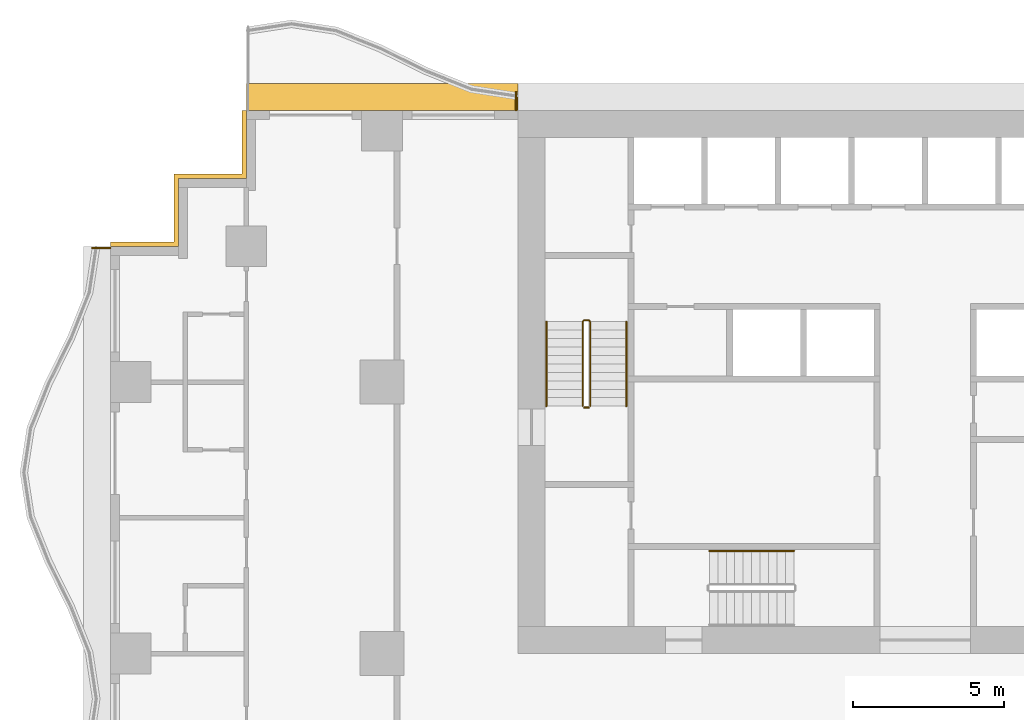
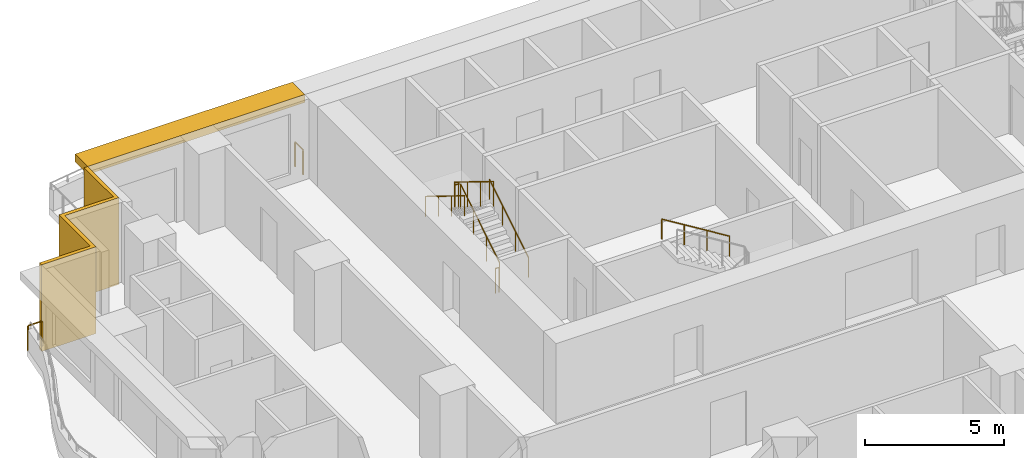
# One storey, part 11 of 13: 7 railings, 2 shading devices.
"""IFC4 building model written with IfcOpenShell, lengths in metres."""

from ifc_helpers import new_model, si_unit, direction, frame, origin, origin_2d, place, context, subcontext, project, spatial, polyline, rectangle, circle, outline, extrude, material, layer, layer_set, type_object, element, save


model = new_model("IFC4")

# Units and contexts
model_context = context("Model", 3, precision=1e-05, world=origin(), true_north=direction((0.0, 1.0)))
body_context = subcontext(model_context, "Body", "Model", "MODEL_VIEW")
ifc_project = project(units=[si_unit("LENGTHUNIT", "METRE"), si_unit("AREAUNIT", "SQUARE_METRE"), si_unit("VOLUMEUNIT", "CUBIC_METRE"), si_unit("PLANEANGLEUNIT", "RADIAN"), si_unit("MASSUNIT", "GRAM", prefix="KILO")], contexts=[model_context])

# Site, building, storey
site_placement = place(None, origin())
site = spatial("IfcSite", under=ifc_project, at=site_placement, CompositionType="ELEMENT")
building_placement = place(site_placement, origin())
building = spatial("IfcBuilding", under=site, at=building_placement, Name="Orbiselva Terraces", CompositionType="ELEMENT")
storey_placement = place(building_placement, frame((0.0, 0.0, 69.4)))
storey = spatial("IfcBuildingStorey", under=building, at=storey_placement, Name="L17", CompositionType="ELEMENT", Elevation=69.4)

# Railings
ifc_material_1 = material(Name="Stainless steel", Category="steel")
railing_type_1 = type_object("IfcRailingType", Name="CORE-GUARD-1100", PredefinedType="GUARDRAIL", material=ifc_material_1)
railing_1_placement = place(storey_placement, frame((-11.1, 12.7, 0.172727)))
element("IfcRailing", 1, at=railing_1_placement, inside=storey, type_object=railing_type_1, Name="L17 S1 stair guard 1", PredefinedType="GUARDRAIL", context=body_context, shape_type="SweptSolid", body=[
    extrude(circle(Radius=0.024, at=origin_2d()), frame((0.0, 0.0, 1.081), z_axis=(0.0, 0.851088519012, 0.52502222125), x_axis=(-1.0, 0.0, 0.0)), (0.0, 0.0, 1.0), 3.289905),
    extrude(circle(Radius=0.024, at=origin_2d()), frame((0.0, 2.8, 2.808273), z_axis=(-0.707106781187, 0.707106781187, 0.0), x_axis=(-0.707106781187, -0.707106781187, 0.0)), (0.0, 0.0, 1.0), 0.070711),
    extrude(circle(Radius=0.024, at=origin_2d()), frame((-0.05, 2.85, 2.808273), z_axis=(-1.0, 0.0, 0.0), x_axis=(0.0, -1.0, 0.0)), (0.0, 0.0, 1.0), 0.15),
    extrude(circle(Radius=0.024, at=origin_2d()), frame((-0.2, 2.85, 2.808273), z_axis=(-0.267894925557, -0.267894925557, 0.925453736133), x_axis=(0.707106781187, -0.707106781187, 0.0)), (0.0, 0.0, 1.0), 0.18664),
    extrude(circle(Radius=0.024, at=origin_2d()), frame((-0.25, 2.8, 2.981), z_axis=(0.0, -0.851088519012, 0.52502222125), x_axis=(1.0, 0.0, 0.0)), (0.0, 0.0, 1.0), 3.289905),
    extrude(circle(Radius=0.021, at=origin_2d()), origin(), (0.0, 0.0, 1.0), 1.057),
    extrude(circle(Radius=0.021, at=origin_2d()), frame((0.0, 0.933333, 0.575758)), (0.0, 0.0, 1.0), 1.057),
    extrude(circle(Radius=0.021, at=origin_2d()), frame((0.0, 1.866667, 1.151515)), (0.0, 0.0, 1.0), 1.057),
    extrude(circle(Radius=0.021, at=origin_2d()), frame((0.0, 2.8, 1.727273)), (0.0, 0.0, 1.0), 1.057),
    extrude(circle(Radius=0.021, at=origin_2d()), frame((-0.05, 2.85, 1.727273)), (0.0, 0.0, 1.0), 1.057),
    extrude(circle(Radius=0.021, at=origin_2d()), frame((-0.2, 2.85, 1.727273)), (0.0, 0.0, 1.0), 1.057),
    extrude(circle(Radius=0.021, at=origin_2d()), frame((-0.25, 2.8, 1.9)), (0.0, 0.0, 1.0), 1.057),
    extrude(circle(Radius=0.021, at=origin_2d()), frame((-0.25, 1.866667, 2.475758)), (0.0, 0.0, 1.0), 1.057),
    extrude(circle(Radius=0.021, at=origin_2d()), frame((-0.25, 0.933333, 3.051515)), (0.0, 0.0, 1.0), 1.057),
    extrude(circle(Radius=0.021, at=origin_2d()), frame((-0.25, 0.0, 3.627273)), (0.0, 0.0, 1.0), 1.057),
])
railing_2_placement = place(storey_placement, frame((-11.15, 12.65, 0.0)))
element("IfcRailing", 2, at=railing_2_placement, inside=storey, type_object=railing_type_1, Name="L17 S1 stair guard 2", PredefinedType="GUARDRAIL", context=body_context, shape_type="SweptSolid", body=[
    extrude(circle(Radius=0.024, at=origin_2d()), frame((0.0, 0.0, 1.081), z_axis=(-1.0, 0.0, 0.0), x_axis=(0.0, -1.0, 0.0)), (0.0, 0.0, 1.0), 0.15),
    extrude(circle(Radius=0.021, at=origin_2d()), origin(), (0.0, 0.0, 1.0), 1.057),
    extrude(circle(Radius=0.021, at=origin_2d()), frame((-0.15, 0.0, 0.0)), (0.0, 0.0, 1.0), 1.057),
])
railing_type_2 = type_object("IfcRailingType", Name="CORE-HANDRAIL-900", PredefinedType="HANDRAIL", material=ifc_material_1)
railing_3_placement = place(storey_placement, frame((-9.9, 12.7, 0.172727)))
element("IfcRailing", 3, at=railing_3_placement, inside=storey, type_object=railing_type_2, Name="L17 S1 stair handrail 1", PredefinedType="HANDRAIL", context=body_context, shape_type="SweptSolid", body=[
    extrude(circle(Radius=0.024, at=origin_2d()), frame((0.0, 0.0, 0.876), z_axis=(0.0, 0.851088519012, 0.52502222125), x_axis=(-1.0, 0.0, 0.0)), (0.0, 0.0, 1.0), 3.289905),
    extrude(circle(Radius=0.021, at=origin_2d()), origin(), (0.0, 0.0, 1.0), 0.852),
    extrude(circle(Radius=0.021, at=origin_2d()), frame((0.0, 0.933333, 0.575758)), (0.0, 0.0, 1.0), 0.852),
    extrude(circle(Radius=0.021, at=origin_2d()), frame((0.0, 1.866667, 1.151515)), (0.0, 0.0, 1.0), 0.852),
    extrude(circle(Radius=0.021, at=origin_2d()), frame((0.0, 2.8, 1.727273)), (0.0, 0.0, 1.0), 0.852),
])
railing_4_placement = place(storey_placement, frame((-12.55, 15.5, 2.072727)))
element("IfcRailing", 4, at=railing_4_placement, inside=storey, type_object=railing_type_2, Name="L17 S1 stair handrail 2", PredefinedType="HANDRAIL", context=body_context, shape_type="SweptSolid", body=[
    extrude(circle(Radius=0.024, at=origin_2d()), frame((0.0, 0.0, 0.876), z_axis=(0.0, -0.851088519012, 0.52502222125), x_axis=(1.0, 0.0, 0.0)), (0.0, 0.0, 1.0), 3.289905),
    extrude(circle(Radius=0.021, at=origin_2d()), origin(), (0.0, 0.0, 1.0), 0.852),
    extrude(circle(Radius=0.021, at=origin_2d()), frame((0.0, -0.933333, 0.575758)), (0.0, 0.0, 1.0), 0.852),
    extrude(circle(Radius=0.021, at=origin_2d()), frame((0.0, -1.866667, 1.151515)), (0.0, 0.0, 1.0), 0.852),
    extrude(circle(Radius=0.021, at=origin_2d()), frame((0.0, -2.8, 1.727273)), (0.0, 0.0, 1.0), 0.852),
])
railing_5_placement = place(storey_placement, frame((-4.35, 7.9, 2.072727)))
element("IfcRailing", 5, at=railing_5_placement, inside=storey, type_object=railing_type_2, Name="L17 S3 stair handrail 2", PredefinedType="HANDRAIL", context=body_context, shape_type="SweptSolid", body=[
    extrude(circle(Radius=0.024, at=origin_2d()), frame((0.0, 0.0, 0.876), z_axis=(-0.851088519012, 0.0, 0.52502222125), x_axis=(0.0, -1.0, 0.0)), (0.0, 0.0, 1.0), 3.289905),
    extrude(circle(Radius=0.021, at=origin_2d()), origin(), (0.0, 0.0, 1.0), 0.852),
    extrude(circle(Radius=0.021, at=origin_2d()), frame((-0.933333, 0.0, 0.575758)), (0.0, 0.0, 1.0), 0.852),
    extrude(circle(Radius=0.021, at=origin_2d()), frame((-1.866667, 0.0, 1.151515)), (0.0, 0.0, 1.0), 0.852),
    extrude(circle(Radius=0.021, at=origin_2d()), frame((-2.8, 0.0, 1.727273)), (0.0, 0.0, 1.0), 0.852),
])
ifc_material_2 = material(Name="Stainless steel rail and posts", Category="steel")
railing_type_3 = type_object("IfcRailingType", Name="ENV-GUARD-1105", PredefinedType="BALUSTRADE", material=ifc_material_2)
railing_6_placement = place(storey_placement, frame((-13.56, 23.100379, 0.0)))
element("IfcRailing", 6, at=railing_6_placement, inside=storey, type_object=railing_type_3, Name="Balcony end guard L17 NW", PredefinedType="BALUSTRADE", context=body_context, shape_type="SweptSolid", body=[
    extrude(outline(polyline([(0.028868, 0.0), (0.014434, 0.025), (-0.014434, 0.025), (-0.028868, 0.0), (-0.014434, -0.025), (0.014434, -0.025), (0.028868, 0.0)])), frame((0.0, 0.0, 1.08), z_axis=(0.0, -1.0, 0.0), x_axis=(1.0, 0.0, 0.0)), (0.0, 0.0, 1.0), 0.575379),
    extrude(rectangle(XDim=0.05, YDim=0.05, at=origin_2d()), origin(), (0.0, 0.0, 1.0), 1.055),
    extrude(rectangle(XDim=0.05, YDim=0.05, at=origin_2d()), frame((0.0, -0.575379, 0.0)), (0.0, 0.0, 1.0), 1.055),
])
railing_7_placement = place(storey_placement, frame((-27.600379, 17.94, 0.0)))
element("IfcRailing", 7, at=railing_7_placement, inside=storey, type_object=railing_type_3, Name="Balcony end guard L17 W", PredefinedType="BALUSTRADE", context=body_context, shape_type="SweptSolid", body=[
    extrude(outline(polyline([(0.028868, 0.0), (0.014434, 0.025), (-0.014434, 0.025), (-0.028868, 0.0), (-0.014434, -0.025), (0.014434, -0.025), (0.028868, 0.0)])), frame((0.0, 0.0, 1.08), z_axis=(1.0, 0.0, 0.0), x_axis=(0.0, 1.0, 0.0)), (0.0, 0.0, 1.0), 0.575379),
    extrude(rectangle(XDim=0.05, YDim=0.05, at=origin_2d()), origin(), (0.0, 0.0, 1.0), 1.055),
    extrude(rectangle(XDim=0.05, YDim=0.05, at=origin_2d()), frame((0.575379, 0.0, 0.0)), (0.0, 0.0, 1.0), 1.055),
])

# Shading devices
ifc_material_3 = material(Name="Terracotta louvre screen", Category="masonry")
ifc_layer_1 = layer(ifc_material_3, 0.15)
ifc_layer_set_1 = layer_set([ifc_layer_1], Name="Terracotta louvre screen")
shading_device_type_1 = type_object("IfcShadingDeviceType", Name="ENV-SCREEN-150", PredefinedType="USERDEFINED", material=ifc_layer_set_1)
shading_device_1_placement = place(storey_placement, frame((0.0, 0.0, -0.3)))
element("IfcShadingDevice", 8, at=shading_device_1_placement, inside=storey, type_object=shading_device_type_1, Name="Louvre screen L17 NW", ObjectType="SCREEN", PredefinedType="USERDEFINED", context=body_context, shape_type="SweptSolid", body=[
    extrude(outline(polyline([(-22.65, 22.5), (-22.65, 20.4), (-24.9, 20.4), (-24.9, 18.15), (-27.0, 18.15), (-27.0, 18.0), (-24.75, 18.0), (-24.75, 20.25), (-22.5, 20.25), (-22.5, 22.5), (-22.65, 22.5)])), origin(), (0.0, 0.0, 1.0), 3.8),
])
ifc_material_4 = material(Name="Terracotta baguette sunshade", Category="masonry")
ifc_layer_2 = layer(ifc_material_4, 0.35)
ifc_layer_set_2 = layer_set([ifc_layer_2], Name="Terracotta baguette sunshade")
shading_device_type_2 = type_object("IfcShadingDeviceType", Name="ENV-SUNSHADE-900x350", PredefinedType="USERDEFINED", material=ifc_layer_set_2)
shading_device_2_placement = place(storey_placement, frame((0.0, 0.0, 3.15)))
element("IfcShadingDevice", 9, at=shading_device_2_placement, inside=storey, type_object=shading_device_type_2, Name="Sunshade band L17 NW", ObjectType="SUNSHADE", PredefinedType="USERDEFINED", context=body_context, shape_type="SweptSolid", body=[
    extrude(outline(polyline([(-13.5, 23.4), (-22.5, 23.4), (-22.5, 22.5), (-13.5, 22.5), (-13.5, 23.4)])), origin(), (0.0, 0.0, 1.0), 0.35),
])

save(model, "model.ifc")
